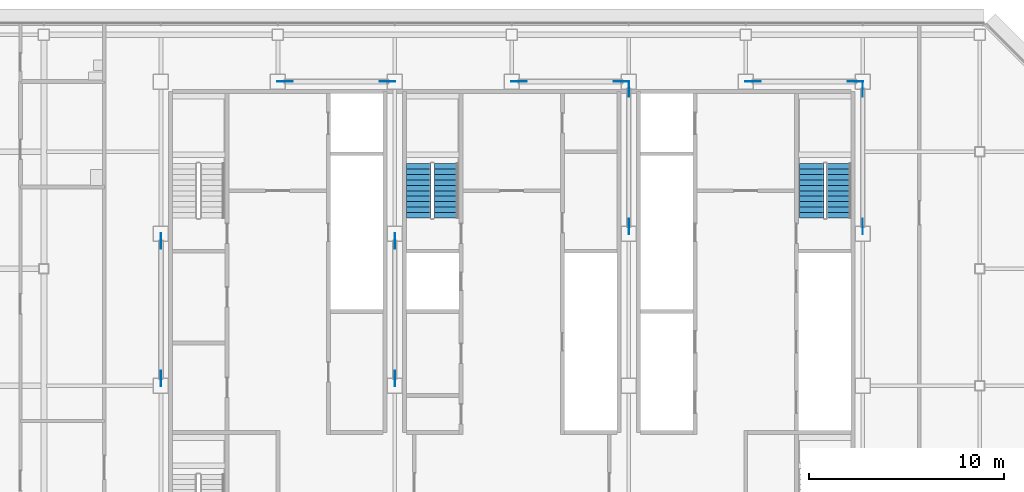
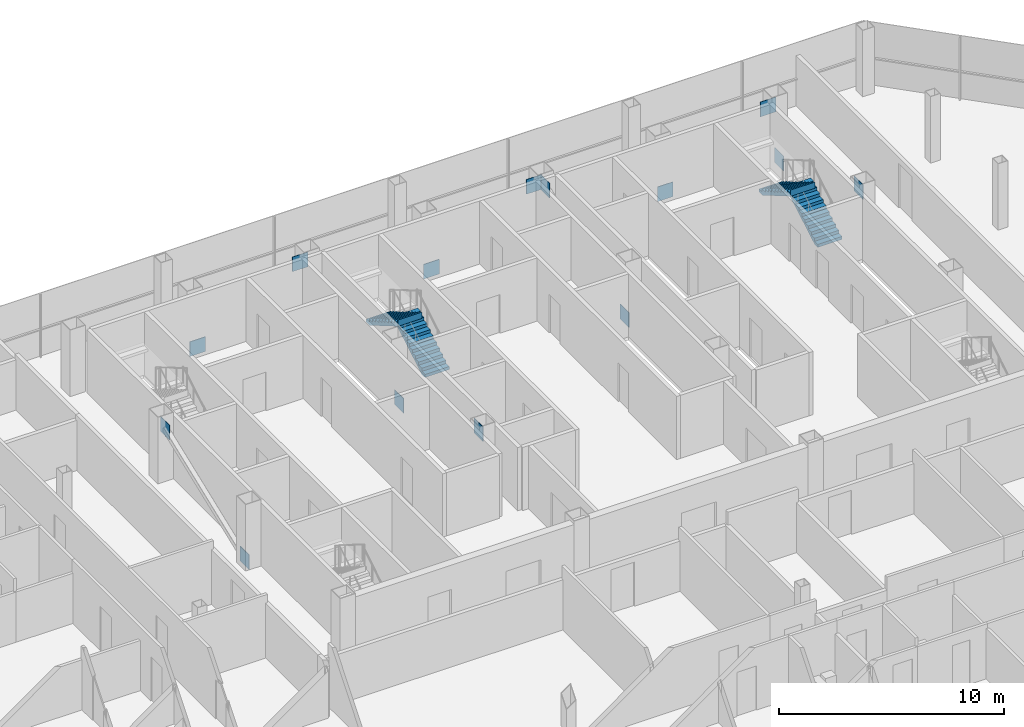
# One storey, part 26 of 28: 14 discrete accessories, 4 stair flights, 2 elements without a shape of their own.
"""IFC4 building model written with IfcOpenShell, lengths in metres."""

import ifcopenshell
import ifcopenshell.guid

model = None  # the IFC model being written
_history = None  # IfcOwnerHistory: only IFC2X3 demands one
_inside = {}  # id of a spatial element -> (the spatial element, [elements in it])
_under = {}  # id of a project, library or spatial element -> (it, [spatial elements below it])
_declared = {}  # id of a project -> (the project, [libraries it declares])
_typed = {}  # id of a type object -> (the type object, [elements of that type])
_made_of = {}  # id of a material, layer set ... -> (it, [elements and type objects made of it])


def new_model(schema):
    """Start an empty IFC model of exactly this schema.

    Asked for "IFC4X3", IfcOpenShell would pick the latest addendum, in which some entities
    have other attributes; the version numbers below select the first issue.
    IFC2X3 requires an IfcOwnerHistory on every rooted entity: one is made here for all.
    """
    global model, _history
    if schema == "IFC4X3":
        model = ifcopenshell.file(schema_version=(4, 3, 0, 0))
    else:
        model = ifcopenshell.file(schema=schema)
    _inside.clear()
    _under.clear()
    _declared.clear()
    _typed.clear()
    _made_of.clear()
    _history = None
    if model.schema == "IFC2X3":
        org = make("IfcOrganization", Name="unknown")
        user = make(
            "IfcPersonAndOrganization",
            ThePerson=make("IfcPerson", FamilyName="unknown"),
            TheOrganization=org,
        )
        app = make(
            "IfcApplication",
            ApplicationDeveloper=org,
            Version="unknown",
            ApplicationFullName="unknown",
            ApplicationIdentifier="unknown",
        )
        _history = make(
            "IfcOwnerHistory",
            OwningUser=user,
            OwningApplication=app,
            ChangeAction="ADDED",
            CreationDate=0,
        )
    return model


def make(cls, **values):
    """One entity of the class cls with the attributes given. An attribute that is None is left unset."""
    return model.create_entity(
        cls, **{name: value for name, value in values.items() if value is not None}
    )


def rooted(cls, **values):
    """An entity with a GlobalId (a new one), such as an element, a storey or a relation."""
    return make(cls, GlobalId=ifcopenshell.guid.new(), OwnerHistory=_history, **values)


def si_unit(unit_type, name, prefix=None):
    """IfcSIUnit, for example si_unit("LENGTHUNIT", "METRE", prefix="MILLI")."""
    return make("IfcSIUnit", UnitType=unit_type, Prefix=prefix, Name=name)


def assignment(units):
    """IfcUnitAssignment: the units of a project."""
    return None if units is None else make("IfcUnitAssignment", Units=units)


def point(xyz):
    """IfcCartesianPoint."""
    return None if xyz is None else make("IfcCartesianPoint", Coordinates=xyz)


def direction(xyz):
    """IfcDirection."""
    return None if xyz is None else make("IfcDirection", DirectionRatios=xyz)


def frame(location, z_axis=None, x_axis=None):
    """IfcAxis2Placement3D, a coordinate frame: its origin and axes. An axis left out is left unset."""
    return make(
        "IfcAxis2Placement3D",
        Location=point(location),
        Axis=direction(z_axis),
        RefDirection=direction(x_axis),
    )


def frame_2d(location, x_axis=None):
    """IfcAxis2Placement2D, a coordinate frame in the plane: its origin and x axis."""
    return make(
        "IfcAxis2Placement2D", Location=point(location), RefDirection=direction(x_axis)
    )


def origin():
    """The frame at (0, 0, 0) with its axes left unset."""
    return frame((0.0, 0.0, 0.0))


def origin_2d():
    """The frame at (0, 0) in the plane with its x axis left unset."""
    return frame_2d((0.0, 0.0))


def place(relative_to, where):
    """IfcLocalPlacement: puts the frame where relative to a parent placement (None: the world)."""
    return make(
        "IfcLocalPlacement", PlacementRelTo=relative_to, RelativePlacement=where
    )


def context(
    kind, dimensions, precision=None, world=None, true_north=None, identifier=None
):
    """IfcGeometricRepresentationContext, for example the 3D "Model" context."""
    return make(
        "IfcGeometricRepresentationContext",
        ContextIdentifier=identifier,
        ContextType=kind,
        CoordinateSpaceDimension=dimensions,
        Precision=precision,
        WorldCoordinateSystem=world,
        TrueNorth=true_north,
    )


def subcontext(parent, identifier, kind, view, scale=None):
    """IfcGeometricRepresentationSubContext, for example "Body" below "Model"."""
    return make(
        "IfcGeometricRepresentationSubContext",
        ContextIdentifier=identifier,
        ContextType=kind,
        ParentContext=parent,
        TargetScale=scale,
        TargetView=view,
    )


def project(units=None, contexts=None):
    """IfcProject with its units and contexts."""
    return rooted(
        "IfcProject",
        Name="project",
        RepresentationContexts=contexts,
        UnitsInContext=assignment(units),
    )


def spatial(cls, under=None, at=None, **own):
    """A site, building, storey or space (cls), placed at a placement, below another one or the project."""
    s = rooted(cls, ObjectPlacement=at, **own)
    if under is not None:
        _under.setdefault(under.id(), (under, []))[1].append(s)
    return s


def polyline(points):
    """IfcPolyline through the points."""
    return make("IfcPolyline", Points=[point(p) for p in points])


def profile(cls, at=None, kind="AREA", **sizes):
    """A parametric profile (cls). Its sizes go by their IFC names, for example OverallWidth=200.0."""
    return make(cls, ProfileType=kind, Position=at, **sizes)


def rectangle(**sizes):
    """IfcRectangleProfileDef."""
    return profile("IfcRectangleProfileDef", **sizes)


def outline(outer, holes=None, kind="AREA"):
    """IfcArbitraryClosedProfileDef: a profile drawn as a closed curve; with holes, ...WithVoids."""
    if holes is None:
        return make("IfcArbitraryClosedProfileDef", ProfileType=kind, OuterCurve=outer)
    return make(
        "IfcArbitraryProfileDefWithVoids",
        ProfileType=kind,
        OuterCurve=outer,
        InnerCurves=holes,
    )


def extrude(swept, where, along, depth):
    """IfcExtrudedAreaSolid: the profile swept, set in the frame where, extruded along a direction by depth."""
    return make(
        "IfcExtrudedAreaSolid",
        SweptArea=swept,
        Position=where,
        ExtrudedDirection=direction(along),
        Depth=depth,
    )


def shape(context_of_items, identifier, shape_type, items):
    """IfcShapeRepresentation: the items that make up one representation, for example the "Body"."""
    return make(
        "IfcShapeRepresentation",
        ContextOfItems=context_of_items,
        RepresentationIdentifier=identifier,
        RepresentationType=shape_type,
        Items=items,
    )


def material(Name=None, Category=None):
    """IfcMaterial."""
    return make("IfcMaterial", Name=Name, Category=Category)


def layer(
    of_material, thickness, ventilated=None, Name=None, Category=None, Priority=None
):
    """IfcMaterialLayer: one layer of a wall or slab, of a material (None: an air gap)."""
    return make(
        "IfcMaterialLayer",
        Material=of_material,
        LayerThickness=thickness,
        IsVentilated=ventilated,
        Name=Name,
        Category=Category,
        Priority=Priority,
    )


def layer_set(layers, Name=None):
    """IfcMaterialLayerSet."""
    return make("IfcMaterialLayerSet", MaterialLayers=layers, LayerSetName=Name)


def made_of(thing, what):
    """Note that an element or type object is made of a material, layer set ...; save() writes the relation."""
    if what is not None:
        _made_of.setdefault(what.id(), (what, []))[1].append(thing)
    return thing


def type_object(cls, material=None, **own):
    """A type object (cls), such as IfcWallType, which elements share."""
    return made_of(rooted(cls, **own), material)


def element(
    cls,
    number,
    at=None,
    inside=None,
    cuts=None,
    type_object=None,
    material=None,
    context=None,
    identifier="Body",
    shape_type=None,
    held_by="IfcProductDefinitionShape",
    body=None,
    shapes=None,
    **own,
):
    """One element of the class cls, such as IfcWall. Its Tag is "e" and its number.

    at: its placement. inside: the storey or other place that contains it. cuts: it is an
    opening in that element (IfcRelVoidsElement). A single representation is given by context,
    identifier, shape_type and body (its items); several are given by shapes. held_by: the class
    of the entity that holds the representations. save() writes the other relations.
    """
    e = rooted(cls, Tag="e%d" % number, ObjectPlacement=at, **own)
    if body is not None:
        shapes = [shape(context, identifier, shape_type, body)]
    if shapes is not None:
        e.Representation = make(held_by, Representations=shapes)
    if inside is not None:
        _inside.setdefault(inside.id(), (inside, []))[1].append(e)
    if cuts is not None:
        rooted(
            "IfcRelVoidsElement", RelatingBuildingElement=cuts, RelatedOpeningElement=e
        )
    if type_object is not None:
        _typed.setdefault(type_object.id(), (type_object, []))[1].append(e)
    return made_of(e, material)


def aggregate(whole, parts):
    """IfcRelAggregates: a whole, such as a stair, and the parts it consists of."""
    return rooted("IfcRelAggregates", RelatingObject=whole, RelatedObjects=parts)


def save(model, path):
    """Write the relations noted so far, then the file.

    IfcRelAggregates (storeys below a building ...), IfcRelContainedInSpatialStructure (elements
    in a storey), IfcRelDefinesByType, IfcRelAssociatesMaterial and IfcRelDeclares: one each for
    every whole, place, type object, material and project.
    """
    for whole, parts in _under.values():
        aggregate(whole, parts)
    for where, things in _inside.values():
        rooted(
            "IfcRelContainedInSpatialStructure",
            RelatedElements=things,
            RelatingStructure=where,
        )
    for kind, things in _typed.values():
        rooted("IfcRelDefinesByType", RelatedObjects=things, RelatingType=kind)
    for what, things in _made_of.values():
        rooted("IfcRelAssociatesMaterial", RelatedObjects=things, RelatingMaterial=what)
    for by, libraries in _declared.values():
        rooted("IfcRelDeclares", RelatingContext=by, RelatedDefinitions=libraries)
    model.write(path)


model = new_model("IFC4")

# Units and contexts
model_context = context("Model", 3, precision=1e-05, world=origin(), true_north=direction((0.0, 1.0)))
body_context = subcontext(model_context, "Body", "Model", "MODEL_VIEW")
ifc_project = project(units=[si_unit("LENGTHUNIT", "METRE"), si_unit("AREAUNIT", "SQUARE_METRE"), si_unit("VOLUMEUNIT", "CUBIC_METRE"), si_unit("PLANEANGLEUNIT", "RADIAN"), si_unit("MASSUNIT", "GRAM", prefix="KILO")], contexts=[model_context])

# Site, building, storey
site_placement = place(None, origin())
site = spatial("IfcSite", under=ifc_project, at=site_placement, CompositionType="ELEMENT")
building_placement = place(site_placement, origin())
building = spatial("IfcBuilding", under=site, at=building_placement, Name="Sorahane Residences", CompositionType="ELEMENT")
storey_placement = place(building_placement, frame((0.0, 0.0, 270.199951171875)))
storey = spatial("IfcBuildingStorey", under=building, at=storey_placement, Name="L64", CompositionType="ELEMENT", Elevation=270.199951171875)

# Stair, stair flights
ifc_material_1 = material(Name="Concrete C40", Category="concrete")
stair_type = type_object("IfcStairType", Name="Dog-leg stair 1250 Concrete C40", PredefinedType="HALF_TURN_STAIR", material=ifc_material_1)
stair_1_placement = place(storey_placement, origin())
stair_1 = element("IfcStair", 1, at=stair_1_placement, inside=storey, type_object=stair_type, Name="L64 Stair S2", PredefinedType="HALF_TURN_STAIR")
ifc_material_2 = material(Name="Concrete C40", Category="concrete")
stair_flight_type = type_object("IfcStairFlightType", Name="Stair flight 1250 Concrete C40", PredefinedType="STRAIGHT", material=ifc_material_2)
stair_flight_1_placement = place(storey_placement, frame((40.77490234375, 38.60009765625, 0.0), z_axis=(0.0, 0.0, 1.0), x_axis=(0.0, 1.0, 0.0)))
stair_flight_1 = element("IfcStairFlight", 2, at=stair_flight_1_placement, type_object=stair_flight_type, Name="S2 flight 1", NumberOfRisers=11, NumberOfTreads=10, PredefinedType="STRAIGHT", RiserHeight=0.163636364, TreadLength=0.28, context=body_context, shape_type="SweptSolid", body=[
    extrude(outline(polyline([(-0.00146484375, 0.0), (-0.00146484375, 0.16357421875), (0.0, 0.16357421875), (0.280029296875, 0.16357421875), (0.280029296875, 0.327392578125), (0.56005859375, 0.327392578125), (0.56005859375, 0.490966796875), (0.840087890625, 0.490966796875), (0.840087890625, 0.654541015625), (1.1201171875, 0.654541015625), (1.1201171875, 0.818115234375), (1.39990234375, 0.818115234375), (1.39990234375, 0.98193359375), (1.679931640625, 0.98193359375), (1.679931640625, 1.1455078125), (1.9599609375, 1.1455078125), (1.9599609375, 1.30908203125), (2.239990234375, 1.30908203125), (2.239990234375, 1.47265625), (2.52001953125, 1.47265625), (2.52001953125, 1.636474609375), (2.800048828125, 1.636474609375), (2.800048828125, 1.800048828125), (2.800048828125, 1.462646484375), (2.59130859375, 1.3408203125), (2.3828125, 1.218994140625), (2.17431640625, 1.09716796875), (1.965576171875, 0.97509765625), (1.757080078125, 0.853271484375), (1.548583984375, 0.7314453125), (1.340087890625, 0.609375), (1.13134765625, 0.487548828125), (0.9228515625, 0.36572265625), (0.71435546875, 0.243896484375), (0.505615234375, 0.121826171875), (0.297119140625, 0.0), (-0.00146484375, 0.0)])), frame((0.0, 0.625, 0.0), z_axis=(0.0, -1.0, 0.0), x_axis=(1.0, 0.0, 0.0)), (0.0, 0.0, 1.0), 1.25),
])
stair_flight_2_placement = place(storey_placement, frame((39.375, 41.39990234375, 1.800048828125), z_axis=(0.0, 0.0, 1.0), x_axis=(0.0, -1.0, 0.0)))
stair_flight_2 = element("IfcStairFlight", 3, at=stair_flight_2_placement, type_object=stair_flight_type, Name="S2 flight 2", NumberOfRisers=11, NumberOfTreads=10, PredefinedType="STRAIGHT", RiserHeight=0.163636364, TreadLength=0.28, context=body_context, shape_type="SweptSolid", body=[
    extrude(outline(polyline([(0.0, 0.0), (0.0, 0.16357421875), (0.280029296875, 0.16357421875), (0.280029296875, 0.327392578125), (0.56005859375, 0.327392578125), (0.56005859375, 0.490966796875), (0.840087890625, 0.490966796875), (0.840087890625, 0.654541015625), (1.1201171875, 0.654541015625), (1.1201171875, 0.818115234375), (1.39990234375, 0.818115234375), (1.39990234375, 0.98193359375), (1.679931640625, 0.98193359375), (1.679931640625, 1.1455078125), (1.9599609375, 1.1455078125), (1.9599609375, 1.30908203125), (2.239990234375, 1.30908203125), (2.239990234375, 1.47265625), (2.52001953125, 1.47265625), (2.52001953125, 1.636474609375), (2.800048828125, 1.636474609375), (2.800048828125, 1.800048828125), (2.801513671875, 1.800048828125), (2.801513671875, 1.462646484375), (2.5927734375, 1.3408203125), (2.384033203125, 1.218994140625), (2.17529296875, 1.09716796875), (1.966796875, 0.97509765625), (1.758056640625, 0.853271484375), (1.54931640625, 0.7314453125), (1.340576171875, 0.609375), (1.1318359375, 0.487548828125), (0.923095703125, 0.36572265625), (0.714599609375, 0.243896484375), (0.505859375, 0.121826171875), (0.297119140625, 0.0), (0.0, 0.0)])), frame((0.0, 0.625, 0.0), z_axis=(0.0, -1.0, 0.0), x_axis=(1.0, 0.0, 0.0)), (0.0, 0.0, 1.0), 1.25),
])
aggregate(stair_1, [stair_flight_1, stair_flight_2])

stair_2_placement = place(storey_placement, origin())
stair_2 = element("IfcStair", 4, at=stair_2_placement, inside=storey, type_object=stair_type, Name="L64 Stair S3", PredefinedType="HALF_TURN_STAIR")
stair_flight_3_placement = place(storey_placement, frame((20.625, 38.60009765625, 0.0), z_axis=(0.0, 0.0, 1.0), x_axis=(0.0, 1.0, 0.0)))
stair_flight_3 = element("IfcStairFlight", 5, at=stair_flight_3_placement, type_object=stair_flight_type, Name="S3 flight 1", NumberOfRisers=11, NumberOfTreads=10, PredefinedType="STRAIGHT", RiserHeight=0.163636364, TreadLength=0.28, context=body_context, shape_type="SweptSolid", body=[
    extrude(outline(polyline([(-0.00146484375, 0.0), (-0.00146484375, 0.16357421875), (0.0, 0.16357421875), (0.280029296875, 0.16357421875), (0.280029296875, 0.327392578125), (0.56005859375, 0.327392578125), (0.56005859375, 0.490966796875), (0.840087890625, 0.490966796875), (0.840087890625, 0.654541015625), (1.1201171875, 0.654541015625), (1.1201171875, 0.818115234375), (1.39990234375, 0.818115234375), (1.39990234375, 0.98193359375), (1.679931640625, 0.98193359375), (1.679931640625, 1.1455078125), (1.9599609375, 1.1455078125), (1.9599609375, 1.30908203125), (2.239990234375, 1.30908203125), (2.239990234375, 1.47265625), (2.52001953125, 1.47265625), (2.52001953125, 1.636474609375), (2.800048828125, 1.636474609375), (2.800048828125, 1.800048828125), (2.800048828125, 1.462646484375), (2.59130859375, 1.3408203125), (2.3828125, 1.218994140625), (2.17431640625, 1.09716796875), (1.965576171875, 0.97509765625), (1.757080078125, 0.853271484375), (1.548583984375, 0.7314453125), (1.340087890625, 0.609375), (1.13134765625, 0.487548828125), (0.9228515625, 0.36572265625), (0.71435546875, 0.243896484375), (0.505615234375, 0.121826171875), (0.297119140625, 0.0), (-0.00146484375, 0.0)])), frame((0.0, 0.625, 0.0), z_axis=(0.0, -1.0, 0.0), x_axis=(1.0, 0.0, 0.0)), (0.0, 0.0, 1.0), 1.25),
])
stair_flight_4_placement = place(storey_placement, frame((19.22509765625, 41.39990234375, 1.800048828125), z_axis=(0.0, 0.0, 1.0), x_axis=(0.0, -1.0, 0.0)))
stair_flight_4 = element("IfcStairFlight", 6, at=stair_flight_4_placement, type_object=stair_flight_type, Name="S3 flight 2", NumberOfRisers=11, NumberOfTreads=10, PredefinedType="STRAIGHT", RiserHeight=0.163636364, TreadLength=0.28, context=body_context, shape_type="SweptSolid", body=[
    extrude(outline(polyline([(0.0, 0.0), (0.0, 0.16357421875), (0.280029296875, 0.16357421875), (0.280029296875, 0.327392578125), (0.56005859375, 0.327392578125), (0.56005859375, 0.490966796875), (0.840087890625, 0.490966796875), (0.840087890625, 0.654541015625), (1.1201171875, 0.654541015625), (1.1201171875, 0.818115234375), (1.39990234375, 0.818115234375), (1.39990234375, 0.98193359375), (1.679931640625, 0.98193359375), (1.679931640625, 1.1455078125), (1.9599609375, 1.1455078125), (1.9599609375, 1.30908203125), (2.239990234375, 1.30908203125), (2.239990234375, 1.47265625), (2.52001953125, 1.47265625), (2.52001953125, 1.636474609375), (2.800048828125, 1.636474609375), (2.800048828125, 1.800048828125), (2.801513671875, 1.800048828125), (2.801513671875, 1.462646484375), (2.5927734375, 1.3408203125), (2.384033203125, 1.218994140625), (2.17529296875, 1.09716796875), (1.966796875, 0.97509765625), (1.758056640625, 0.853271484375), (1.54931640625, 0.7314453125), (1.340576171875, 0.609375), (1.1318359375, 0.487548828125), (0.923095703125, 0.36572265625), (0.714599609375, 0.243896484375), (0.505859375, 0.121826171875), (0.297119140625, 0.0), (0.0, 0.0)])), frame((0.0, 0.625, 0.0), z_axis=(0.0, -1.0, 0.0), x_axis=(1.0, 0.0, 0.0)), (0.0, 0.0, 1.0), 1.25),
])
aggregate(stair_2, [stair_flight_3, stair_flight_4])

# Discrete accessories
ifc_material_3 = material(Name="Steel Q355B", Category="steel")
ifc_layer = layer(ifc_material_3, 0.02490234375)
ifc_layer_set = layer_set([ifc_layer], Name="Node plate Steel Q355B 25")
discrete_accessory_type = type_object("IfcDiscreteAccessoryType", Name="Node plate Steel Q355B 25", PredefinedType="BRACKET", material=ifc_layer_set)
for number, where, z_axis, x_axis, name in (
    (7, (6.0, 30.372802734375, -0.28564453125), (0.0, 0.0, 1.0), (0.0, 1.0, 0.0), "Node plate L64 br"),
    (8, (6.0, 37.42724609375, 2.45556640625), (0.0, 0.0, 1.0), (0.0, 1.0, 0.0), "Node plate L64 br"),
    (9, (18.0, 37.42724609375, -0.28564453125), (0.0, 0.0, 1.0), (0.0, 1.0, 0.0), "Node plate L64 br"),
    (10, (18.0, 30.372802734375, 2.45556640625), (0.0, 0.0, 1.0), (0.0, 1.0, 0.0), "Node plate L64 br"),
    (11, (30.0, 38.1728515625, -0.28564453125), (0.0, 0.0, 1.0), (0.0, 1.0, 0.0), "Node plate L64 br"),
    (12, (30.0, 45.227294921875, 2.45556640625), (0.0, 0.0, 1.0), (0.0, 1.0, 0.0), "Node plate L64 br"),
    (13, (42.0, 45.227294921875, -0.28564453125), (0.0, 0.0, 1.0), (0.0, 1.0, 0.0), "Node plate L64 br"),
    (14, (42.0, 38.1728515625, 2.45556640625), (0.0, 0.0, 1.0), (0.0, 1.0, 0.0), "Node plate L64 br"),
    (15, (12.365234375, 45.60009765625, -0.29296875), (0.0, 0.0, 1.0), (1.0, 0.0, 0.0), "Node plate L64 br"),
    (16, (24.365234375, 45.60009765625, -0.29296875), (0.0, 0.0, 1.0), (1.0, 0.0, 0.0), "Node plate L64 br"),
    (17, (36.365234375, 45.60009765625, -0.29296875), (0.0, 0.0, 1.0), (1.0, 0.0, 0.0), "Node plate L64 br"),
    (18, (17.634765625, 45.60009765625, 2.46337890625), (0.0, 0.0, 1.0), (1.0, 0.0, 0.0), "Node plate L64 br"),
    (19, (29.634765625, 45.60009765625, 2.46337890625), (0.0, 0.0, 1.0), (1.0, 0.0, 0.0), "Node plate L64 br"),
    (20, (41.634765625, 45.60009765625, 2.46337890625), (0.0, 0.0, 1.0), (1.0, 0.0, 0.0), "Node plate L64 br"),
):
    element("IfcDiscreteAccessory", number, at=place(storey_placement, frame(where, z_axis=z_axis, x_axis=x_axis)), inside=storey, type_object=discrete_accessory_type, Name=name, PredefinedType="BRACKET", context=body_context, shape_type="SweptSolid", body=[
        extrude(rectangle(XDim=0.800048828125, YDim=0.02490234375, at=origin_2d()), origin(), (0.0, 0.0, 1.0), 0.800048828125),
    ])

save(model, "model.ifc")
